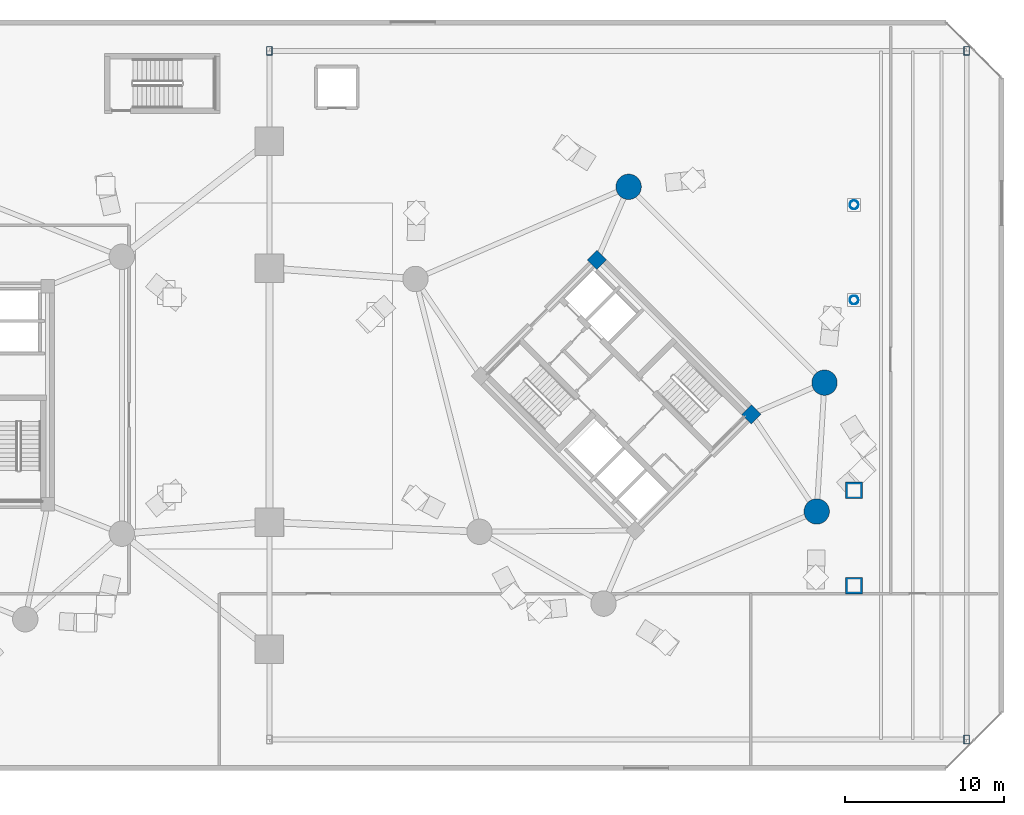
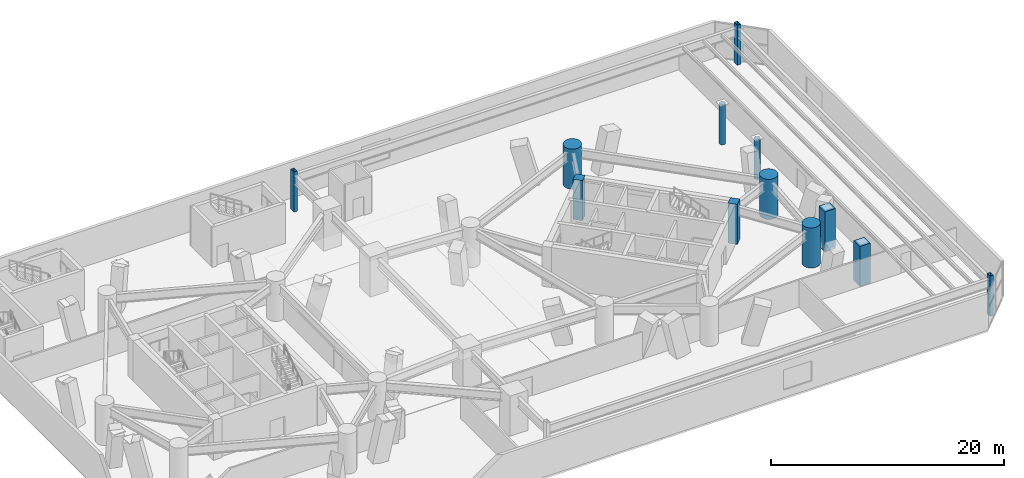
# One storey, part 2 of 20: 12 columns.
"""IFC4 building model written with IfcOpenShell, lengths in metres."""

from ifc_helpers import new_model, si_unit, direction, frame, origin, origin_2d, place, context, subcontext, project, spatial, rectangle, hollow_rectangle, circle, hollow_circle, extrude, material, material_profile, profile_set, type_object, element, save


model = new_model("IFC4")

# Units and contexts
model_context = context("Model", 3, precision=1e-05, world=origin(), true_north=direction((0.0, 1.0)))
body_context = subcontext(model_context, "Body", "Model", "MODEL_VIEW")
ifc_project = project(units=[si_unit("LENGTHUNIT", "METRE"), si_unit("AREAUNIT", "SQUARE_METRE"), si_unit("VOLUMEUNIT", "CUBIC_METRE"), si_unit("PLANEANGLEUNIT", "RADIAN"), si_unit("MASSUNIT", "GRAM", prefix="KILO")], contexts=[model_context])

# Site, building, storey
site_placement = place(None, origin())
site = spatial("IfcSite", under=ifc_project, at=site_placement, CompositionType="ELEMENT")
building_placement = place(site_placement, origin())
building = spatial("IfcBuilding", under=site, at=building_placement, Name="Cununo Teusaquillo Station Towers", CompositionType="ELEMENT")
storey_placement = place(building_placement, frame((0.0, 0.0, 13.199951171875)))
storey = spatial("IfcBuildingStorey", under=building, at=storey_placement, Name="L03", CompositionType="ELEMENT", Elevation=13.199951171875)

# Columns
ifc_material_1 = material(Name="Concrete C50/60", Category="concrete")
ifc_material_profile_1 = material_profile(ifc_material_1, rectangle(XDim=0.85009765625, YDim=0.85009765625, at=origin_2d()), Name="RC-RECT-850x850")
ifc_profile_set_1 = profile_set([ifc_material_profile_1], Name="Concrete C50/60")
column_type_1 = type_object("IfcColumnType", Name="COL-CORE-Z1", PredefinedType="COLUMN", material=ifc_profile_set_1)
for number, where, z_axis, x_axis, name in (
    (1, (66.024169921875, 23.29443359375, 0.0), (0.0, 0.0, 1.0), (0.707106781187, 0.707106781187, 0.0), "L03 Tower B Core Column 3"),
    (2, (56.29443359375, 33.024169921875, 0.0), (0.0, 0.0, 1.0), (0.707106781187, 0.707106781187, 0.0), "L03 Tower B Core Column 4"),
):
    element("IfcColumn", number, at=place(storey_placement, frame(where, z_axis=z_axis, x_axis=x_axis)), inside=storey, type_object=column_type_1, Name=name, PredefinedType="COLUMN", context=body_context, shape_type="SweptSolid", body=[
        extrude(rectangle(XDim=0.85009765625, YDim=0.85009765625, at=origin_2d()), origin(), (0.0, 0.0, 1.0), 4.199951171875),
    ])
ifc_material_2 = material(Name="Concrete C60/75", Category="concrete")
ifc_material_profile_2 = material_profile(ifc_material_2, circle(Radius=0.800048828125, at=origin_2d()), Name="RC-CIRC-1600")
ifc_profile_set_2 = profile_set([ifc_material_profile_2], Name="Concrete C60/75")
column_type_2 = type_object("IfcColumnType", Name="COL-MEGA-POD", PredefinedType="USERDEFINED", material=ifc_profile_set_2)
for number, where, z_axis, x_axis, name in (
    (3, (58.291015625, 37.63525390625, 0.0), (0.0, 0.0, 1.0), (1.0, 0.0, 0.0), "L03 Tower B Perimeter Column V02"),
    (4, (70.146240234375, 17.173095703125, 0.0), (0.0, 0.0, 1.0), (1.0, 0.0, 0.0), "L03 Tower B Perimeter Column V16"),
    (5, (70.63525390625, 25.291015625, 0.0), (0.0, 0.0, 1.0), (1.0, 0.0, 0.0), "L03 Tower B Perimeter Column V18"),
):
    element("IfcColumn", number, at=place(storey_placement, frame(where, z_axis=z_axis, x_axis=x_axis)), inside=storey, type_object=column_type_2, Name=name, ObjectType="MEGA COLUMN", PredefinedType="USERDEFINED", context=body_context, shape_type="SweptSolid", body=[
        extrude(circle(Radius=0.800048828125, at=origin_2d()), origin(), (0.0, 0.0, 1.0), 4.199951171875),
    ])
ifc_material_3 = material(Name="Steel ASTM A572 Grade 50", Category="steel")
ifc_material_profile_3 = material_profile(ifc_material_3, hollow_rectangle(XDim=0.35009765625, YDim=0.550048828125, WallThickness=0.02197265625, at=origin_2d()), Name="RHS 550x350x22")
ifc_profile_set_3 = profile_set([ifc_material_profile_3], Name="Steel ASTM A572 Grade 50")
column_type_3 = type_object("IfcColumnType", Name="COL-PILASTER", PredefinedType="PILASTER", material=ifc_profile_set_3)
for number, where, z_axis, x_axis, name in (
    (6, (35.64990234375, 46.199951171875, 0.0), (0.0, 0.0, 1.0), (1.0, 0.0, 0.0), "L03 Station Hall Pilaster PIL-NW"),
    (7, (79.60009765625, 46.199951171875, 0.0), (0.0, 0.0, 1.0), (1.0, 0.0, 0.0), "L03 Station Hall Pilaster PIL-NE"),
    (8, (79.60009765625, 2.800048828125, 0.0), (0.0, 0.0, 1.0), (1.0, 0.0, 0.0), "L03 Station Hall Pilaster PIL-SE"),
):
    element("IfcColumn", number, at=place(storey_placement, frame(where, z_axis=z_axis, x_axis=x_axis)), inside=storey, type_object=column_type_3, Name=name, PredefinedType="PILASTER", context=body_context, shape_type="SweptSolid", body=[
        extrude(hollow_rectangle(XDim=0.35009765625, YDim=0.550048828125, WallThickness=0.02197265625, at=origin_2d()), origin(), (0.0, 0.0, 1.0), 4.199951171875),
    ])
ifc_material_4 = material(Name="Concrete C50/60", Category="concrete")
ifc_material_profile_4 = material_profile(ifc_material_4, rectangle(XDim=1.050048828125, YDim=1.050048828125, at=origin_2d()), Name="RC-RECT-1050x1050")
ifc_profile_set_4 = profile_set([ifc_material_profile_4], Name="Concrete C50/60")
column_type_4 = type_object("IfcColumnType", Name="COL-XFER-T2", PredefinedType="COLUMN", material=ifc_profile_set_4)
for number, where, z_axis, x_axis, name in (
    (9, (72.5, 12.5, 0.0), (0.0, 0.0, 1.0), (1.0, 0.0, 0.0), "L03 East Station Gallery Column 1"),
    (10, (72.5, 18.5, 0.0), (0.0, 0.0, 1.0), (1.0, 0.0, 0.0), "L03 East Station Gallery Column 2"),
):
    element("IfcColumn", number, at=place(storey_placement, frame(where, z_axis=z_axis, x_axis=x_axis)), inside=storey, type_object=column_type_4, Name=name, PredefinedType="COLUMN", context=body_context, shape_type="SweptSolid", body=[
        extrude(rectangle(XDim=1.050048828125, YDim=1.050048828125, at=origin_2d()), origin(), (0.0, 0.0, 1.0), 4.199951171875),
    ])
ifc_material_5 = material(Name="Steel EN 10025-2 S355J2", Category="steel")
ifc_material_profile_5 = material_profile(ifc_material_5, hollow_circle(Radius=0.279541015625, WallThickness=0.02001953125, at=origin_2d()), Name="CHS 559x20")
ifc_profile_set_5 = profile_set([ifc_material_profile_5], Name="Steel EN 10025-2 S355J2")
column_type_5 = type_object("IfcColumnType", Name="COL-XFER-T3", PredefinedType="COLUMN", material=ifc_profile_set_5)
for number, where, z_axis, x_axis, name in (
    (11, (72.5, 30.5, 0.0), (0.0, 0.0, 1.0), (1.0, 0.0, 0.0), "L03 East Station Gallery Column 3"),
    (12, (72.5, 36.5, 0.0), (0.0, 0.0, 1.0), (1.0, 0.0, 0.0), "L03 East Station Gallery Column 4"),
):
    element("IfcColumn", number, at=place(storey_placement, frame(where, z_axis=z_axis, x_axis=x_axis)), inside=storey, type_object=column_type_5, Name=name, PredefinedType="COLUMN", context=body_context, shape_type="SweptSolid", body=[
        extrude(hollow_circle(Radius=0.279541015625, WallThickness=0.02001953125, at=origin_2d()), origin(), (0.0, 0.0, 1.0), 4.199951171875),
    ])

save(model, "model.ifc")
